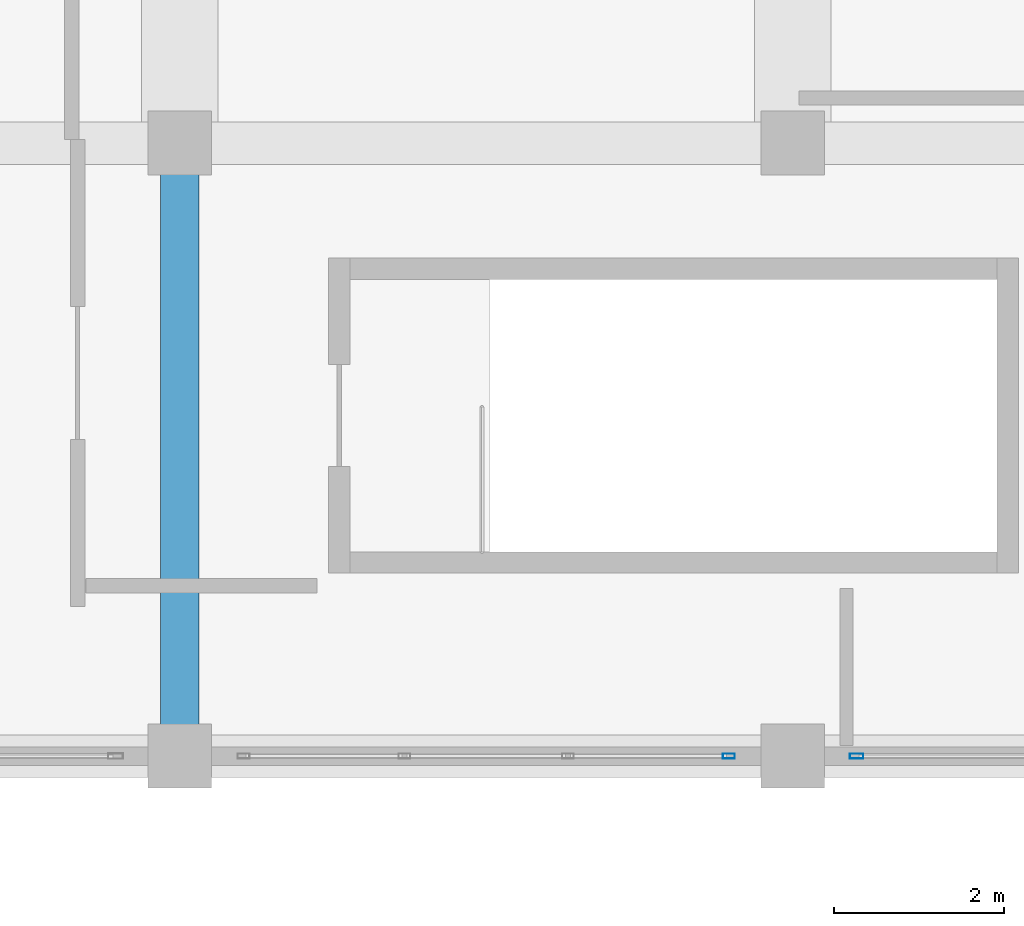
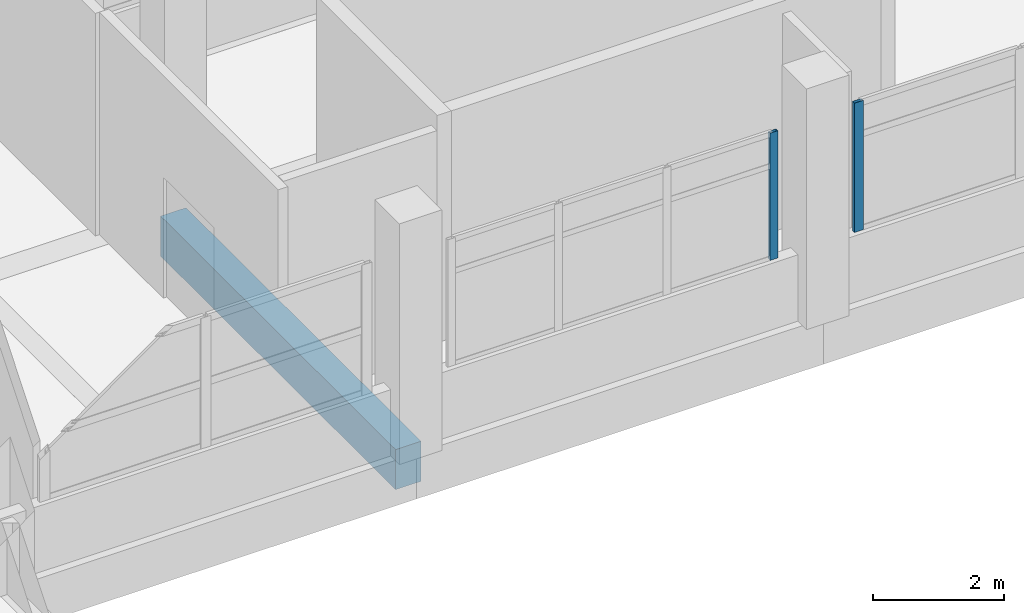
# One storey, part 71 of 141: 2 members, 1 beam, 2 elements without a shape of their own.
"""IFC4 building model written with IfcOpenShell, lengths in metres."""

from ifc_helpers import new_model, si_unit, direction, frame, origin, origin_2d, place, context, subcontext, project, spatial, rectangle, hollow_rectangle, extrude, material, layer, layer_set, material_profile, profile_set, type_object, element, aggregate, save


model = new_model("IFC4")

# Units and contexts
model_context = context("Model", 3, precision=1e-05, world=origin(), true_north=direction((0.0, 1.0)))
body_context = subcontext(model_context, "Body", "Model", "MODEL_VIEW")
ifc_project = project(units=[si_unit("LENGTHUNIT", "METRE"), si_unit("AREAUNIT", "SQUARE_METRE"), si_unit("VOLUMEUNIT", "CUBIC_METRE"), si_unit("PLANEANGLEUNIT", "RADIAN"), si_unit("MASSUNIT", "GRAM", prefix="KILO")], contexts=[model_context])

# Site, building, storey
site_placement = place(None, origin())
site = spatial("IfcSite", under=ifc_project, at=site_placement, CompositionType="ELEMENT")
building_placement = place(site_placement, origin())
building = spatial("IfcBuilding", under=site, at=building_placement, Name="Seraya Terrace Polytechnic", CompositionType="ELEMENT")
storey_placement = place(building_placement, frame((0.0, 0.0, 14.39990234375)))
storey = spatial("IfcBuildingStorey", under=building, at=storey_placement, Name="L03", CompositionType="ELEMENT", Elevation=14.39990234375)

# Beam
ifc_material_1 = material(Name="Concrete C40/50", Category="concrete")
ifc_material_profile_1 = material_profile(ifc_material_1, rectangle(XDim=0.449951171875, YDim=0.75, at=origin_2d()), Name="RC 450x750")
ifc_profile_set_1 = profile_set([ifc_material_profile_1], Name="Concrete C40/50")
beam_type = type_object("IfcBeamType", Name="BM-08", PredefinedType="BEAM", material=ifc_profile_set_1)
beam_placement = place(storey_placement, frame((50.39990234375, 64.800048828125, -0.375), z_axis=(0.0, 1.0, 0.0), x_axis=(-1.0, 0.0, 0.0)))
element("IfcBeam", 1, at=beam_placement, inside=storey, type_object=beam_type, Name="Beam BM-08 L03 Y (50.4, 64.8..72.0)", PredefinedType="BEAM", context=body_context, shape_type="SweptSolid", body=[
    extrude(rectangle(XDim=0.449951171875, YDim=0.75, at=origin_2d()), origin(), (0.0, 0.0, 1.0), 7.199951171875),
])

# Curtain wall, member
ifc_material_2 = material(Name="Anodised aluminium EN AW-6063 T6", Category="aluminium")
ifc_layer_1 = layer(ifc_material_2, 0.179931640625, Name="CW-35")
ifc_layer_set_1 = layer_set([ifc_layer_1], Name="Anodised aluminium EN AW-6063 T6")
curtain_wall_type_1 = type_object("IfcCurtainWallType", Name="CW-35", PredefinedType="NOTDEFINED", material=ifc_layer_set_1)
curtain_wall_1_placement = place(storey_placement, origin())
curtain_wall_1 = element("IfcCurtainWall", 2, at=curtain_wall_1_placement, inside=storey, type_object=curtain_wall_type_1, Name="Unitised curtain wall CW-35 (CW-L03-143)", PredefinedType="NOTDEFINED")
ifc_material_profile_2 = material_profile(ifc_material_2, hollow_rectangle(XDim=0.06005859375, YDim=0.159912109375, WallThickness=0.00341796875, at=origin_2d()), Name="RHS 160x60x3.5")
ifc_profile_set_2 = profile_set([ifc_material_profile_2], Name="Anodised aluminium EN AW-6063 T6")
member_type_1 = type_object("IfcMemberType", Name="CWM-02", PredefinedType="MULLION", material=ifc_profile_set_2)
member_1_placement = place(storey_placement, frame((58.35009765625, 64.800048828125, 1.239990234375), z_axis=(0.0, 0.0, 1.0), x_axis=(0.0, -1.0, 0.0)))
member_1 = element("IfcMember", 3, at=member_1_placement, type_object=member_type_1, Name="CW-35 mullion 3", PredefinedType="MULLION", context=body_context, shape_type="SweptSolid", body=[
    extrude(hollow_rectangle(XDim=0.06005859375, YDim=0.159912109375, WallThickness=0.00341796875, at=origin_2d()), origin(), (0.0, 0.0, 1.0), 2.420166015625),
])
aggregate(curtain_wall_1, [member_1])

ifc_layer_2 = layer(ifc_material_2, 0.179931640625, Name="CW-36")
ifc_layer_set_2 = layer_set([ifc_layer_2], Name="Anodised aluminium EN AW-6063 T6")
curtain_wall_type_2 = type_object("IfcCurtainWallType", Name="CW-36", PredefinedType="NOTDEFINED", material=ifc_layer_set_2)
curtain_wall_2_placement = place(storey_placement, origin())
curtain_wall_2 = element("IfcCurtainWall", 4, at=curtain_wall_2_placement, inside=storey, type_object=curtain_wall_type_2, Name="Unitised curtain wall CW-36 (CW-L03-144)", PredefinedType="NOTDEFINED")
ifc_material_profile_3 = material_profile(ifc_material_2, hollow_rectangle(XDim=0.06005859375, YDim=0.139892578125, WallThickness=0.00341796875, at=origin_2d()), Name="RHS 140x60x3.5")
ifc_profile_set_3 = profile_set([ifc_material_profile_3], Name="Anodised aluminium EN AW-6063 T6")
member_type_2 = type_object("IfcMemberType", Name="CWM-03", PredefinedType="MULLION", material=ifc_profile_set_3)
member_2_placement = place(storey_placement, frame((56.85009765625, 64.800048828125, 1.239990234375), z_axis=(0.0, 0.0, 1.0), x_axis=(0.0, -1.0, 0.0)))
member_2 = element("IfcMember", 5, at=member_2_placement, type_object=member_type_2, Name="CW-36 mullion 1", PredefinedType="MULLION", context=body_context, shape_type="SweptSolid", body=[
    extrude(hollow_rectangle(XDim=0.06005859375, YDim=0.139892578125, WallThickness=0.00341796875, at=origin_2d()), origin(), (0.0, 0.0, 1.0), 2.380126953125),
])
aggregate(curtain_wall_2, [member_2])

save(model, "model.ifc")
